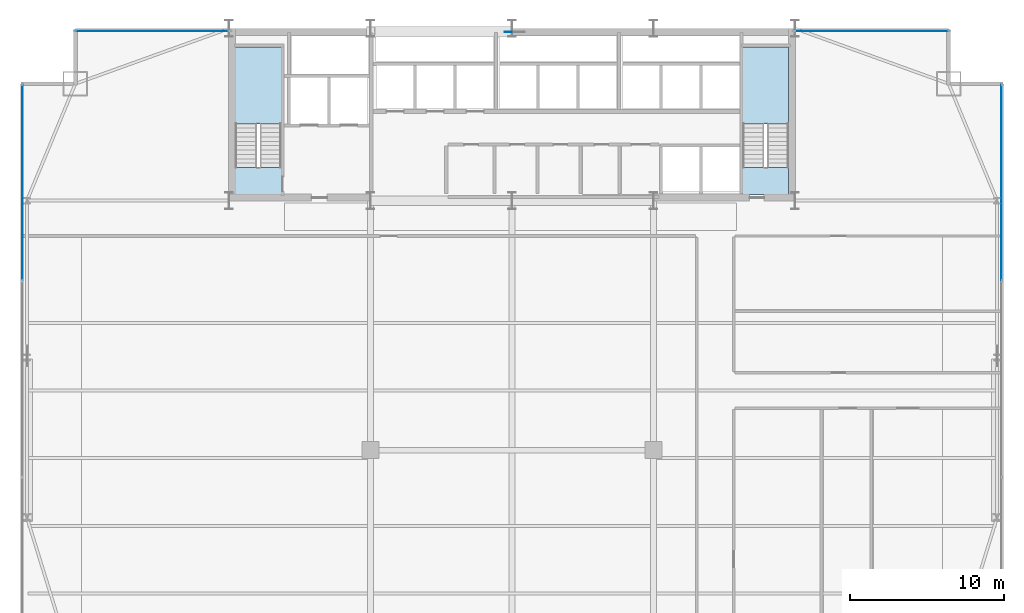
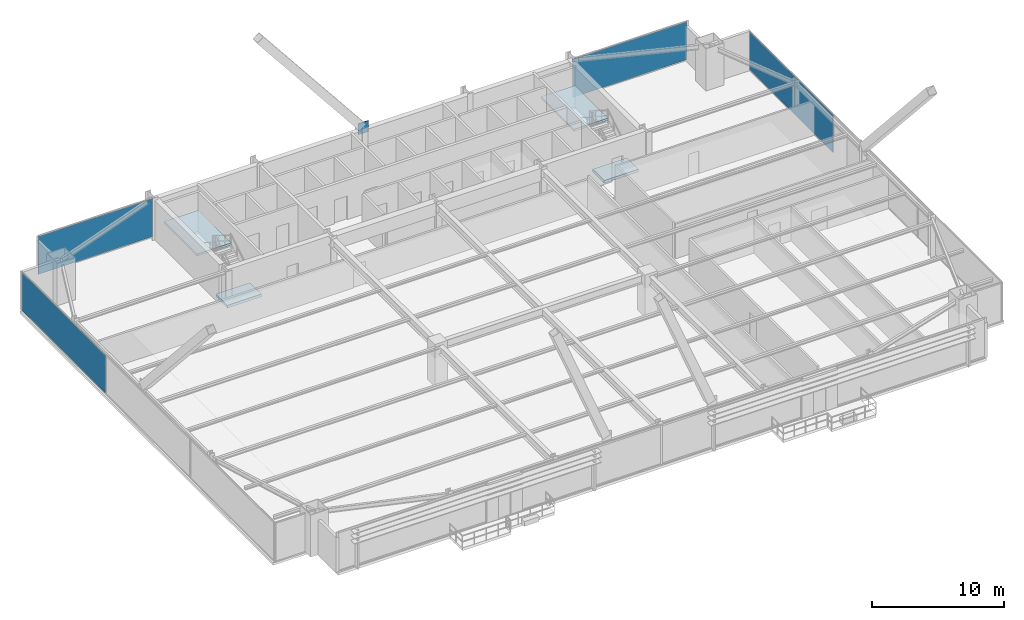
# One storey, part 28 of 35: 5 plates, 4 slabs, 6 elements without a shape of their own.
"""IFC4 building model written with IfcOpenShell, lengths in metres."""

from ifc_helpers import new_model, si_unit, direction, frame, origin, origin_2d, place, context, subcontext, project, spatial, polyline, rectangle, outline, extrude, source, transform, mapped, material, layer, layer_set, type_object, type_shapes, element, aggregate, save


model = new_model("IFC4")

# Units and contexts
model_context = context("Model", 3, precision=1e-05, world=origin(), true_north=direction((0.0, 1.0)))
body_context = subcontext(model_context, "Body", "Model", "MODEL_VIEW")
ifc_project = project(units=[si_unit("LENGTHUNIT", "METRE"), si_unit("AREAUNIT", "SQUARE_METRE"), si_unit("VOLUMEUNIT", "CUBIC_METRE"), si_unit("PLANEANGLEUNIT", "RADIAN"), si_unit("MASSUNIT", "GRAM", prefix="KILO")], contexts=[model_context])

# Site, building, storey
site_placement = place(None, origin())
site = spatial("IfcSite", under=ifc_project, at=site_placement, CompositionType="ELEMENT")
building_placement = place(site_placement, origin())
building = spatial("IfcBuilding", under=site, at=building_placement, Name="Varnel Quay Broadcast Tower", CompositionType="ELEMENT")
storey_placement = place(building_placement, frame((0.0, 0.0, 66.60009765625)))
storey = spatial("IfcBuildingStorey", under=building, at=storey_placement, Name="L15", CompositionType="ELEMENT", Elevation=66.60009765625)

# Slabs
ifc_material_1 = material(Name="Concrete CSA A23.3 C50/60", Category="concrete")
ifc_layer_1 = layer(ifc_material_1, 0.25, Name="Concrete CSA A23.3 C50/60")
ifc_layer_set_1 = layer_set([ifc_layer_1], Name="Concrete CSA A23.3 C50/60")
slab_type_1 = type_object("IfcSlabType", Name="Slab_StairFloorLanding250", PredefinedType="FLOOR", material=ifc_layer_set_1)
slab_1_placement = place(storey_placement, frame((0.0, 0.0, -0.25)))
element("IfcSlab", 1, at=slab_1_placement, inside=storey, type_object=slab_type_1, Name="L15 ST-01 Structural Floor Landing Slab", PredefinedType="FLOOR", context=body_context, shape_type="SweptSolid", body=[
    extrude(outline(polyline([(19.0, 36.0), (19.0, 37.75), (16.0, 37.75), (16.0, 36.0), (19.0, 36.0)])), origin(), (0.0, 0.0, 1.0), 0.25),
])
slab_2_placement = place(storey_placement, frame((0.0, 0.0, -0.25)))
element("IfcSlab", 2, at=slab_2_placement, inside=storey, type_object=slab_type_1, Name="L15 ST-02 Structural Floor Landing Slab", PredefinedType="FLOOR", context=body_context, shape_type="SweptSolid", body=[
    extrude(outline(polyline([(52.0, 36.0), (52.0, 37.75), (49.0, 37.75), (49.0, 36.0), (52.0, 36.0)])), origin(), (0.0, 0.0, 1.0), 0.25),
])

# Stair, slab
ifc_material_2 = material(Name="Precast Structural Concrete C40/50", Category="concrete")
stair_type_1 = type_object("IfcStairType", Name="Stair_ST-01", PredefinedType="HALF_TURN_STAIR", material=ifc_material_2)
stair_1_placement = place(storey_placement, origin())
stair_1 = element("IfcStair", 3, at=stair_1_placement, inside=storey, type_object=stair_type_1, Name="L15 West Core Exit Stair 1", PredefinedType="HALF_TURN_STAIR")
ifc_layer_2 = layer(ifc_material_2, 0.199951171875, Name="Precast Structural Concrete C40/50")
ifc_layer_set_2 = layer_set([ifc_layer_2], Name="Precast Structural Concrete C40/50")
slab_type_2 = type_object("IfcSlabType", Name="Slab_StairLanding200", PredefinedType="LANDING", material=ifc_layer_set_2)
slab_3_placement = place(storey_placement, frame((0.0, 0.0, 1.75)))
slab_3 = element("IfcSlab", 4, at=slab_3_placement, type_object=slab_type_2, Name="ST-01 landing 1", PredefinedType="LANDING", context=body_context, shape_type="SweptSolid", body=[
    extrude(outline(polyline([(19.0, 40.60009765625), (19.0, 45.60009765625), (16.0, 45.60009765625), (16.0, 40.60009765625), (19.0, 40.60009765625)])), origin(), (0.0, 0.0, 1.0), 0.199951171875),
])
aggregate(stair_1, [slab_3])

stair_type_2 = type_object("IfcStairType", Name="Stair_ST-02", PredefinedType="HALF_TURN_STAIR", material=ifc_material_2)
stair_2_placement = place(storey_placement, origin())
stair_2 = element("IfcStair", 5, at=stair_2_placement, inside=storey, type_object=stair_type_2, Name="L15 East Core Exit Stair 2", PredefinedType="HALF_TURN_STAIR")
slab_4_placement = place(storey_placement, frame((0.0, 0.0, 1.75)))
slab_4 = element("IfcSlab", 6, at=slab_4_placement, type_object=slab_type_2, Name="ST-02 landing 1", PredefinedType="LANDING", context=body_context, shape_type="SweptSolid", body=[
    extrude(outline(polyline([(52.0, 40.60009765625), (52.0, 45.60009765625), (49.0, 45.60009765625), (49.0, 40.60009765625), (52.0, 40.60009765625)])), origin(), (0.0, 0.0, 1.0), 0.199951171875),
])
aggregate(stair_2, [slab_4])

# Plate
ifc_material_3 = material(Name="Structural Steel CSA G40.21 350WT", Category="steel")
ifc_layer_3 = layer(ifc_material_3, 0.0400390625, Name="Structural Steel CSA G40.21 350WT")
ifc_layer_set_3 = layer_set([ifc_layer_3], Name="Structural Steel CSA G40.21 350WT")
plate_type_1 = type_object("IfcPlateType", Name="Plate_MegaGusset", PredefinedType="USERDEFINED", material=ifc_layer_set_3)
shared_shape_1 = source(origin(), body_context, "Body", "SweptSolid", [
    extrude(rectangle(XDim=0.9189453125, YDim=0.0400390625, at=origin_2d()), origin(), (0.0, 0.0, 1.0), 1.0400390625),
])
type_shapes(plate_type_1, [shared_shape_1])
plate_1_placement = place(storey_placement, frame((34.0, 46.580078125, 3.219970703125), z_axis=(0.0, 0.0, 1.0), x_axis=(1.0, 0.0, 0.0)))
element("IfcPlate", 7, at=plate_1_placement, inside=storey, type_object=plate_type_1, Name="Zone 1 Mega-Brace N-CT3 Central X-Crossing Gusset Plate", ObjectType="GUSSET_PLATE", PredefinedType="USERDEFINED", context=body_context, shape_type="MappedRepresentation", body=[
    mapped(shared_shape_1, transform((0.0, 0.0, 0.0), x_axis=(1.0, 0.0, 0.0), y_axis=(0.0, 1.0, 0.0), z_axis=(0.0, 0.0, 1.0), scale=1.0)),
])

# Curtain wall, plate
ifc_material_4 = material(Name="Anodised Bronze Aluminium 6063-T6", Category="aluminium")
ifc_layer_4 = layer(ifc_material_4, 0.18994140625, Name="Anodised Bronze Aluminium 6063-T6")
ifc_layer_set_4 = layer_set([ifc_layer_4], Name="Anodised Bronze Aluminium 6063-T6")
curtain_wall_type = type_object("IfcCurtainWallType", Name="CW_LowerTower", PredefinedType="NOTDEFINED", material=ifc_layer_set_4)
curtain_wall_1_placement = place(storey_placement, origin())
curtain_wall_1 = element("IfcCurtainWall", 8, at=curtain_wall_1_placement, inside=storey, type_object=curtain_wall_type, Name="L15 NW Wing Curtain Wall", PredefinedType="NOTDEFINED")
ifc_material_5 = material(Name="Triple-Glazed Bronze Low-E Architectural Glass", Category="glass")
ifc_layer_5 = layer(ifc_material_5, 0.031982421875, Name="Triple-Glazed Bronze Low-E Architectural Glass")
ifc_layer_set_5 = layer_set([ifc_layer_5], Name="Triple-Glazed Bronze Low-E Architectural Glass")
plate_type_2 = type_object("IfcPlateType", Name="Panel_CWS-02", PredefinedType="CURTAIN_PANEL", material=ifc_layer_set_5)
shared_shape_2 = source(origin(), body_context, "Body", "SweptSolid", [
    extrude(rectangle(XDim=10.0400390625, YDim=0.031982421875, at=origin_2d()), origin(), (0.0, 0.0, 1.0), 3.530029296875),
])
plate_2_placement = place(storey_placement, frame((10.610107421875, 46.64990234375, 0.06005859375), z_axis=(0.0, 0.0, 1.0), x_axis=(1.0, 0.0, 0.0)))
plate_2 = element("IfcPlate", 9, at=plate_2_placement, type_object=plate_type_2, Name="CWS-02 panel 1.1", PredefinedType="CURTAIN_PANEL", context=body_context, shape_type="MappedRepresentation", body=[
    mapped(shared_shape_2, transform((0.0, 0.0, 0.0), x_axis=(1.0, 0.0, 0.0), y_axis=(0.0, 1.0, 0.0), z_axis=(0.0, 0.0, 1.0), scale=1.0)),
])
aggregate(curtain_wall_1, [plate_2])

curtain_wall_2_placement = place(storey_placement, origin())
curtain_wall_2 = element("IfcCurtainWall", 10, at=curtain_wall_2_placement, inside=storey, type_object=curtain_wall_type, Name="L15 NE Wing Curtain Wall", PredefinedType="NOTDEFINED")
plate_3_placement = place(storey_placement, frame((57.389892578125, 46.64990234375, 0.06005859375), z_axis=(0.0, 0.0, 1.0), x_axis=(1.0, 0.0, 0.0)))
plate_3 = element("IfcPlate", 11, at=plate_3_placement, type_object=plate_type_2, Name="CWS-02 panel 1.1", PredefinedType="CURTAIN_PANEL", context=body_context, shape_type="MappedRepresentation", body=[
    mapped(shared_shape_2, transform((0.0, 0.0, 0.0), x_axis=(1.0, 0.0, 0.0), y_axis=(0.0, 1.0, 0.0), z_axis=(0.0, 0.0, 1.0), scale=1.0)),
])
aggregate(curtain_wall_2, [plate_3])

curtain_wall_3_placement = place(storey_placement, origin())
curtain_wall_3 = element("IfcCurtainWall", 12, at=curtain_wall_3_placement, inside=storey, type_object=curtain_wall_type, Name="L15 West Unitised Curtain Wall", PredefinedType="NOTDEFINED")
shared_shape_3 = source(origin(), body_context, "Body", "SweptSolid", [
    extrude(rectangle(XDim=12.695068359375, YDim=0.031982421875, at=origin_2d()), origin(), (0.0, 0.0, 1.0), 3.530029296875),
])
type_shapes(plate_type_2, [shared_shape_2, shared_shape_3])
plate_4_placement = place(storey_placement, frame((2.14990234375, 36.782470703125, 0.06005859375), z_axis=(0.0, 0.0, 1.0), x_axis=(0.0, 1.0, 0.0)))
plate_4 = element("IfcPlate", 13, at=plate_4_placement, type_object=plate_type_2, Name="CWS-02 panel 3.1", PredefinedType="CURTAIN_PANEL", context=body_context, shape_type="MappedRepresentation", body=[
    mapped(shared_shape_3, transform((0.0, 0.0, 0.0), x_axis=(1.0, 0.0, 0.0), y_axis=(0.0, 1.0, 0.0), z_axis=(0.0, 0.0, 1.0), scale=1.0)),
])
aggregate(curtain_wall_3, [plate_4])

curtain_wall_4_placement = place(storey_placement, origin())
curtain_wall_4 = element("IfcCurtainWall", 14, at=curtain_wall_4_placement, inside=storey, type_object=curtain_wall_type, Name="L15 East Unitised Curtain Wall", PredefinedType="NOTDEFINED")
plate_5_placement = place(storey_placement, frame((65.85009765625, 36.782470703125, 0.06005859375), z_axis=(0.0, 0.0, 1.0), x_axis=(0.0, 1.0, 0.0)))
plate_5 = element("IfcPlate", 15, at=plate_5_placement, type_object=plate_type_2, Name="CWS-02 panel 3.1", PredefinedType="CURTAIN_PANEL", context=body_context, shape_type="MappedRepresentation", body=[
    mapped(shared_shape_3, transform((0.0, 0.0, 0.0), x_axis=(1.0, 0.0, 0.0), y_axis=(0.0, 1.0, 0.0), z_axis=(0.0, 0.0, 1.0), scale=1.0)),
])
aggregate(curtain_wall_4, [plate_5])

save(model, "model.ifc")
